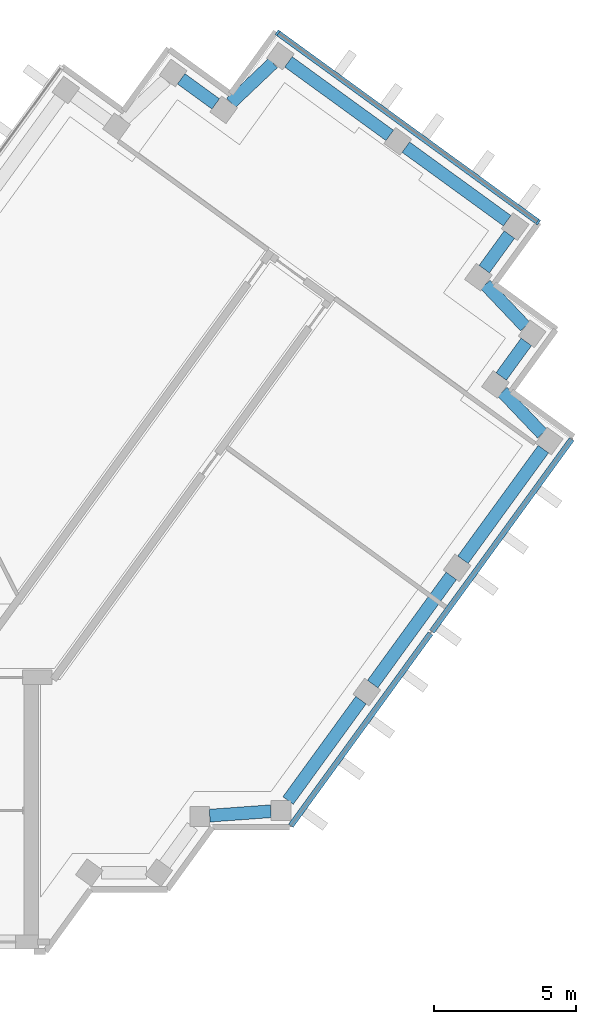
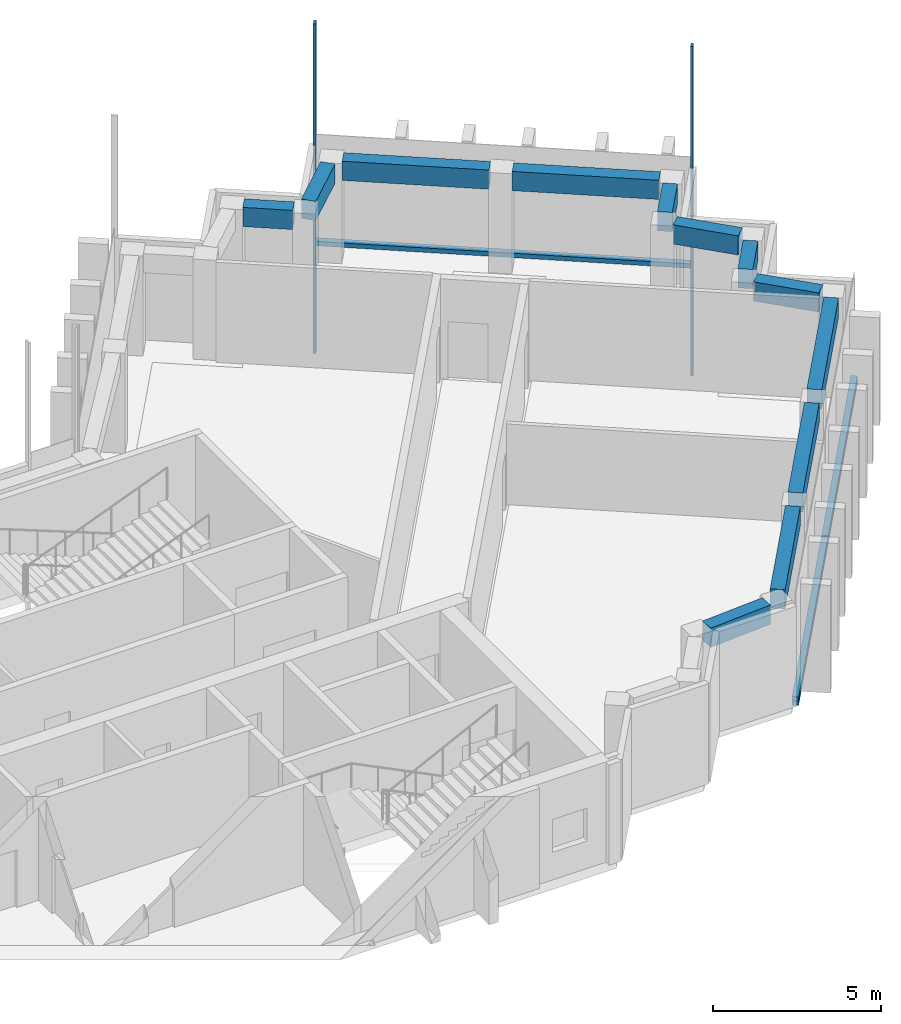
"""IFC4 building model written with IfcOpenShell, lengths in metres."""

from ifc_helpers import new_model, si_unit, direction, frame, origin, origin_2d, place, context, subcontext, project, spatial, rectangle, extrude, material, material_profile, profile_set, type_object, element, aggregate, save


model = new_model("IFC4")

# Units and contexts
model_context = context("Model", 3, precision=1e-05, world=origin(), true_north=direction((0.0, 1.0)))
body_context = subcontext(model_context, "Body", "Model", "MODEL_VIEW")
ifc_project = project(units=[si_unit("LENGTHUNIT", "METRE"), si_unit("AREAUNIT", "SQUARE_METRE"), si_unit("VOLUMEUNIT", "CUBIC_METRE"), si_unit("PLANEANGLEUNIT", "RADIAN"), si_unit("MASSUNIT", "GRAM", prefix="KILO")], contexts=[model_context])

# Site, building, storey
site_placement = place(None, origin())
site = spatial("IfcSite", under=ifc_project, at=site_placement, CompositionType="ELEMENT")
building_placement = place(site_placement, origin())
building = spatial("IfcBuilding", under=site, at=building_placement, Name="Quipu Civic Tower", CompositionType="ELEMENT")
storey_1_placement = place(building_placement, frame((0.0, 0.0, 347.0)))
storey_1 = spatial("IfcBuildingStorey", under=building, at=storey_1_placement, Name="L81", CompositionType="ELEMENT", Elevation=347.0)

# Curtain wall, members
ifc_material_1 = material(Name="Insulated glass unit", Category="glass")
curtain_wall_type = type_object("IfcCurtainWallType", Name="Office curtain wall CW1", PredefinedType="NOTDEFINED", material=ifc_material_1)
curtain_wall_1_placement = place(storey_1_placement, origin())
curtain_wall_1 = element("IfcCurtainWall", 1, at=curtain_wall_1_placement, inside=storey_1, type_object=curtain_wall_type, Name="Office curtain wall CW1 L80 run 21", PredefinedType="NOTDEFINED")
ifc_material_2 = material(Name="Anodised aluminium", Category="aluminium")
ifc_material_profile_1 = material_profile(ifc_material_2, rectangle(XDim=0.199951171875, YDim=0.080078125, at=origin_2d()), Name="RECT 200x80")
ifc_profile_set_1 = profile_set([ifc_material_profile_1], Name="Anodised aluminium")
member_type_1 = type_object("IfcMemberType", Name="Mullion CW1", PredefinedType="MULLION", material=ifc_profile_set_1)
member_1_placement = place(storey_1_placement, frame((37.569091796875, 14.552490234375, -3.919921875), z_axis=(0.0, 0.0, 1.0), x_axis=(-0.587787753918, -0.809015176832, 0.0)))
member_1 = element("IfcMember", 2, at=member_1_placement, type_object=member_type_1, Name="CW1 mullion 1", PredefinedType="MULLION", context=body_context, shape_type="SweptSolid", body=[
    extrude(rectangle(XDim=0.199951171875, YDim=0.080078125, at=origin_2d()), origin(), (0.0, 0.0, 1.0), 12.0),
])
member_2_placement = place(storey_1_placement, frame((28.4111328125, 21.206298828125, -3.919921875), z_axis=(0.0, 0.0, 1.0), x_axis=(-0.587787753918, -0.809015176832, 0.0)))
member_2 = element("IfcMember", 3, at=member_2_placement, type_object=member_type_1, Name="CW1 mullion 2", PredefinedType="MULLION", context=body_context, shape_type="SweptSolid", body=[
    extrude(rectangle(XDim=0.199951171875, YDim=0.080078125, at=origin_2d()), origin(), (0.0, 0.0, 1.0), 12.0),
])

# Beams
ifc_material_3 = material(Name="Concrete C50/60", Category="concrete")
ifc_material_profile_2 = material_profile(ifc_material_3, rectangle(XDim=0.449951171875, YDim=0.699951171875, at=origin_2d()), Name="RC450x700")
ifc_profile_set_2 = profile_set([ifc_material_profile_2], Name="Concrete C50/60")
beam_type = type_object("IfcBeamType", Name="Spandrel beam RC 450x700 C50/60", PredefinedType="SPANDREL", material=ifc_profile_set_2)
beam_1_placement = place(storey_1_placement, frame((26.0244140625, -6.3115234375, 3.300048828125), z_axis=(0.997379352029, 0.072349347934, 0.0), x_axis=(-0.072349347934, 0.997379352029, 0.0)))
element("IfcBeam", 4, at=beam_1_placement, inside=storey_1, type_object=beam_type, Name="Spandrel beam L81 J-Eo.3 to J-Eo.4", PredefinedType="SPANDREL", context=body_context, shape_type="SweptSolid", body=[
    extrude(rectangle(XDim=0.449951171875, YDim=0.699951171875, at=origin_2d()), origin(), (0.0, 0.0, 1.0), 2.15625),
])
beam_2_placement = place(storey_1_placement, frame((28.779296875, -5.780029296875, 3.300048828125), z_axis=(0.58777550284, 0.809024077677, 0.0), x_axis=(-0.809024077677, 0.58777550284, 0.0)))
element("IfcBeam", 5, at=beam_2_placement, inside=storey_1, type_object=beam_type, Name="Spandrel beam L81 J-Eo.4 to E-OUT-01", PredefinedType="SPANDREL", context=body_context, shape_type="SweptSolid", body=[
    extrude(rectangle(XDim=0.449951171875, YDim=0.699951171875, at=origin_2d()), origin(), (0.0, 0.0, 1.0), 4.36083984375),
])
beam_3_placement = place(storey_1_placement, frame((31.75390625, -1.685546875, 3.300048828125), z_axis=(0.587788656305, 0.809014521204, 0.0), x_axis=(-0.809014521204, 0.587788656305, 0.0)))
element("IfcBeam", 6, at=beam_3_placement, inside=storey_1, type_object=beam_type, Name="Spandrel beam L81 E-OUT-01 to E-OUT-02", PredefinedType="SPANDREL", context=body_context, shape_type="SweptSolid", body=[
    extrude(rectangle(XDim=0.449951171875, YDim=0.699951171875, at=origin_2d()), origin(), (0.0, 0.0, 1.0), 4.7001953125),
])
beam_4_placement = place(storey_1_placement, frame((34.927978515625, 2.68310546875, 3.300048828125), z_axis=(0.587905928359, 0.808929304328, 0.0), x_axis=(-0.808929304328, 0.587905928359, 0.0)))
element("IfcBeam", 7, at=beam_4_placement, inside=storey_1, type_object=beam_type, Name="Spandrel beam L81 E-OUT-02 to T-Eo.0-E22", PredefinedType="SPANDREL", context=body_context, shape_type="SweptSolid", body=[
    extrude(rectangle(XDim=0.449951171875, YDim=0.699951171875, at=origin_2d()), origin(), (0.0, 0.0, 1.0), 4.80712890625),
])
beam_5_placement = place(storey_1_placement, frame((37.71484375, 7.11279296875, 3.300048828125), z_axis=(-0.689175330605, 0.724594620244, 0.0), x_axis=(-0.724594620244, -0.689175330605, 0.0)))
element("IfcBeam", 8, at=beam_5_placement, inside=storey_1, type_object=beam_type, Name="Spandrel beam L81 T-Eo.0-E22 to T-Eo.1-E22", PredefinedType="SPANDREL", context=body_context, shape_type="SweptSolid", body=[
    extrude(rectangle(XDim=0.449951171875, YDim=0.699951171875, at=origin_2d()), origin(), (0.0, 0.0, 1.0), 2.033447265625),
])
beam_6_placement = place(storey_1_placement, frame((36.273681640625, 9.12744140625, 3.300048828125), z_axis=(0.587164895097, 0.809467347066, 0.0), x_axis=(-0.809467347066, 0.587164895097, 0.0)))
element("IfcBeam", 9, at=beam_6_placement, inside=storey_1, type_object=beam_type, Name="Spandrel beam L81 T-Eo.1-E22 to T-Eo.2-E22", PredefinedType="SPANDREL", context=body_context, shape_type="SweptSolid", body=[
    extrude(rectangle(XDim=0.449951171875, YDim=0.699951171875, at=origin_2d()), origin(), (0.0, 0.0, 1.0), 1.500244140625),
])
beam_7_placement = place(storey_1_placement, frame((37.114990234375, 10.88330078125, 3.300048828125), z_axis=(-0.688247466856, 0.725475998477, 0.0), x_axis=(-0.725475998477, -0.688247466856, 0.0)))
element("IfcBeam", 10, at=beam_7_placement, inside=storey_1, type_object=beam_type, Name="Spandrel beam L81 T-Eo.2-E22 to T-Eo.3-E22", PredefinedType="SPANDREL", context=body_context, shape_type="SweptSolid", body=[
    extrude(rectangle(XDim=0.449951171875, YDim=0.699951171875, at=origin_2d()), origin(), (0.0, 0.0, 1.0), 2.032958984375),
])
beam_8_placement = place(storey_1_placement, frame((35.6767578125, 12.8994140625, 3.300048828125), z_axis=(0.588345920092, 0.808609348394, 0.0), x_axis=(-0.808609348394, 0.588345920092, 0.0)))
element("IfcBeam", 11, at=beam_8_placement, inside=storey_1, type_object=beam_type, Name="Spandrel beam L81 T-Eo.3-E22 to T-Eo.4-E22", PredefinedType="SPANDREL", context=body_context, shape_type="SweptSolid", body=[
    extrude(rectangle(XDim=0.449951171875, YDim=0.699951171875, at=origin_2d()), origin(), (0.0, 0.0, 1.0), 1.499755859375),
])
beam_9_placement = place(storey_1_placement, frame((36.481689453125, 14.6005859375, 3.300048828125), z_axis=(-0.809117270763, 0.587647208921, 0.0), x_axis=(-0.587647208921, -0.809117270763, 0.0)))
element("IfcBeam", 12, at=beam_9_placement, inside=storey_1, type_object=beam_type, Name="Spandrel beam L81 T-Eo.4-E22 to TIP-E-01-E22", PredefinedType="SPANDREL", context=body_context, shape_type="SweptSolid", body=[
    extrude(rectangle(XDim=0.449951171875, YDim=0.699951171875, at=origin_2d()), origin(), (0.0, 0.0, 1.0), 4.40185546875),
])
beam_10_placement = place(storey_1_placement, frame((32.353759765625, 17.5986328125, 3.300048828125), z_axis=(-0.809146152767, 0.587607439931, 0.0), x_axis=(-0.587607439931, -0.809146152767, 0.0)))
element("IfcBeam", 13, at=beam_10_placement, inside=storey_1, type_object=beam_type, Name="Spandrel beam L81 TIP-E-01-E22 to T-Ei.0-E22", PredefinedType="SPANDREL", context=body_context, shape_type="SweptSolid", body=[
    extrude(rectangle(XDim=0.449951171875, YDim=0.699951171875, at=origin_2d()), origin(), (0.0, 0.0, 1.0), 4.400390625),
])
beam_11_placement = place(storey_1_placement, frame((28.251708984375, 20.14501953125, 3.300048828125), z_axis=(-0.725359138958, -0.688370626574, 0.0), x_axis=(0.688370626574, -0.725359138958, 0.0)))
element("IfcBeam", 14, at=beam_11_placement, inside=storey_1, type_object=beam_type, Name="Spandrel beam L81 T-Ei.0-E22 to T-Ei.1-E22", PredefinedType="SPANDREL", context=body_context, shape_type="SweptSolid", body=[
    extrude(rectangle(XDim=0.449951171875, YDim=0.699951171875, at=origin_2d()), origin(), (0.0, 0.0, 1.0), 2.032958984375),
])
beam_12_placement = place(storey_1_placement, frame((26.236083984375, 18.70654296875, 3.300048828125), z_axis=(-0.808644589435, 0.588297482553, 0.0), x_axis=(-0.588297482553, -0.808644589435, 0.0)))
element("IfcBeam", 15, at=beam_12_placement, inside=storey_1, type_object=beam_type, Name="Spandrel beam L81 T-Ei.1-E22 to T-Ei.2-E22", PredefinedType="SPANDREL", context=body_context, shape_type="SweptSolid", body=[
    extrude(rectangle(XDim=0.449951171875, YDim=0.699951171875, at=origin_2d()), origin(), (0.0, 0.0, 1.0), 1.500244140625),
])

# Storey
storey_2_placement = place(building_placement, frame((0.0, 0.0, 339.0)))
storey_2 = spatial("IfcBuildingStorey", under=building, at=storey_2_placement, Name="L79", CompositionType="ELEMENT", Elevation=339.0)

# Curtain wall, members
curtain_wall_2_placement = place(storey_2_placement, origin())
curtain_wall_2 = element("IfcCurtainWall", 16, at=curtain_wall_2_placement, inside=storey_2, type_object=curtain_wall_type, Name="Office curtain wall CW1 L78 run 4", PredefinedType="NOTDEFINED")
ifc_material_4 = material(Name="Anodised aluminium", Category="aluminium")
ifc_material_profile_3 = material_profile(ifc_material_4, rectangle(XDim=0.199951171875, YDim=0.159912109375, at=origin_2d()), Name="RECT 200x160")
ifc_profile_set_3 = profile_set([ifc_material_profile_3], Name="Anodised aluminium")
member_type_2 = type_object("IfcMemberType", Name="Transom CW1", PredefinedType="USERDEFINED", material=ifc_profile_set_3)
member_3_placement = place(storey_1_placement, frame((28.876708984375, -6.66650390625, 0.0), z_axis=(0.587812107925, 0.808997481935, 0.0), x_axis=(-0.808997481935, 0.587812107925, 0.0)))
member_3 = element("IfcMember", 17, at=member_3_placement, inside=storey_1, type_object=member_type_2, Name="CW1 transom 1.4", ObjectType="TRANSOM", PredefinedType="USERDEFINED", context=body_context, shape_type="SweptSolid", body=[
    extrude(rectangle(XDim=0.199951171875, YDim=0.159912109375, at=origin_2d()), origin(), (0.0, 0.0, 1.0), 8.35791015625),
])
member_4_placement = place(storey_1_placement, frame((33.83642578125, 0.15966796875, 0.0), z_axis=(0.587779098815, 0.809021465102, 0.0), x_axis=(-0.809021465102, 0.587779098815, 0.0)))
member_4 = element("IfcMember", 18, at=member_4_placement, inside=storey_1, type_object=member_type_2, Name="CW1 transom 2.4", ObjectType="TRANSOM", PredefinedType="USERDEFINED", context=body_context, shape_type="SweptSolid", body=[
    extrude(rectangle(XDim=0.199951171875, YDim=0.159912109375, at=origin_2d()), origin(), (0.0, 0.0, 1.0), 8.35791015625),
])
aggregate(curtain_wall_2, [member_3, member_4])

# Member
member_5_placement = place(storey_1_placement, frame((37.536865234375, 14.575927734375, 0.080078125), z_axis=(-0.809022463805, 0.587777724194, 0.0), x_axis=(-0.587777724194, -0.809022463805, 0.0)))
member_5 = element("IfcMember", 19, at=member_5_placement, type_object=member_type_2, Name="CW1 transom 1.2", ObjectType="TRANSOM", PredefinedType="USERDEFINED", context=body_context, shape_type="SweptSolid", body=[
    extrude(rectangle(XDim=0.199951171875, YDim=0.159912109375, at=origin_2d()), origin(), (0.0, 0.0, 1.0), 11.240234375),
])

aggregate(curtain_wall_1, [member_1, member_2, member_5])

# Storey
storey_3_placement = place(building_placement, frame((0.0, 0.0, 351.0)))
storey_3 = spatial("IfcBuildingStorey", under=building, at=storey_3_placement, Name="L82", CompositionType="ELEMENT", Elevation=351.0)

# Curtain wall, members
curtain_wall_3_placement = place(storey_3_placement, origin())
curtain_wall_3 = element("IfcCurtainWall", 20, at=curtain_wall_3_placement, inside=storey_3, type_object=curtain_wall_type, Name="Office curtain wall CW1 L81 run 4", PredefinedType="NOTDEFINED")
member_6_placement = place(storey_1_placement, frame((28.876708984375, -6.66650390625, 0.159912109375), z_axis=(0.587812107925, 0.808997481935, 0.0), x_axis=(-0.808997481935, 0.587812107925, 0.0)))
member_6 = element("IfcMember", 21, at=member_6_placement, inside=storey_1, type_object=member_type_2, Name="CW1 transom 1.1", ObjectType="TRANSOM", PredefinedType="USERDEFINED", context=body_context, shape_type="SweptSolid", body=[
    extrude(rectangle(XDim=0.199951171875, YDim=0.159912109375, at=origin_2d()), origin(), (0.0, 0.0, 1.0), 8.35791015625),
])
member_7_placement = place(storey_1_placement, frame((33.83642578125, 0.15966796875, 0.159912109375), z_axis=(0.587779098815, 0.809021465102, 0.0), x_axis=(-0.809021465102, 0.587779098815, 0.0)))
member_7 = element("IfcMember", 22, at=member_7_placement, inside=storey_1, type_object=member_type_2, Name="CW1 transom 2.1", ObjectType="TRANSOM", PredefinedType="USERDEFINED", context=body_context, shape_type="SweptSolid", body=[
    extrude(rectangle(XDim=0.199951171875, YDim=0.159912109375, at=origin_2d()), origin(), (0.0, 0.0, 1.0), 8.35791015625),
])
aggregate(curtain_wall_3, [member_6, member_7])

save(model, "model.ifc")
